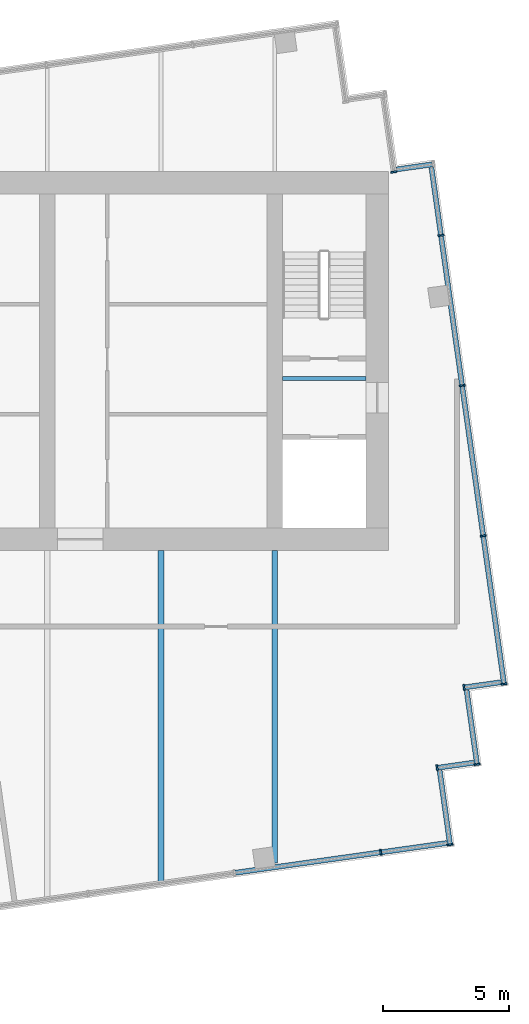
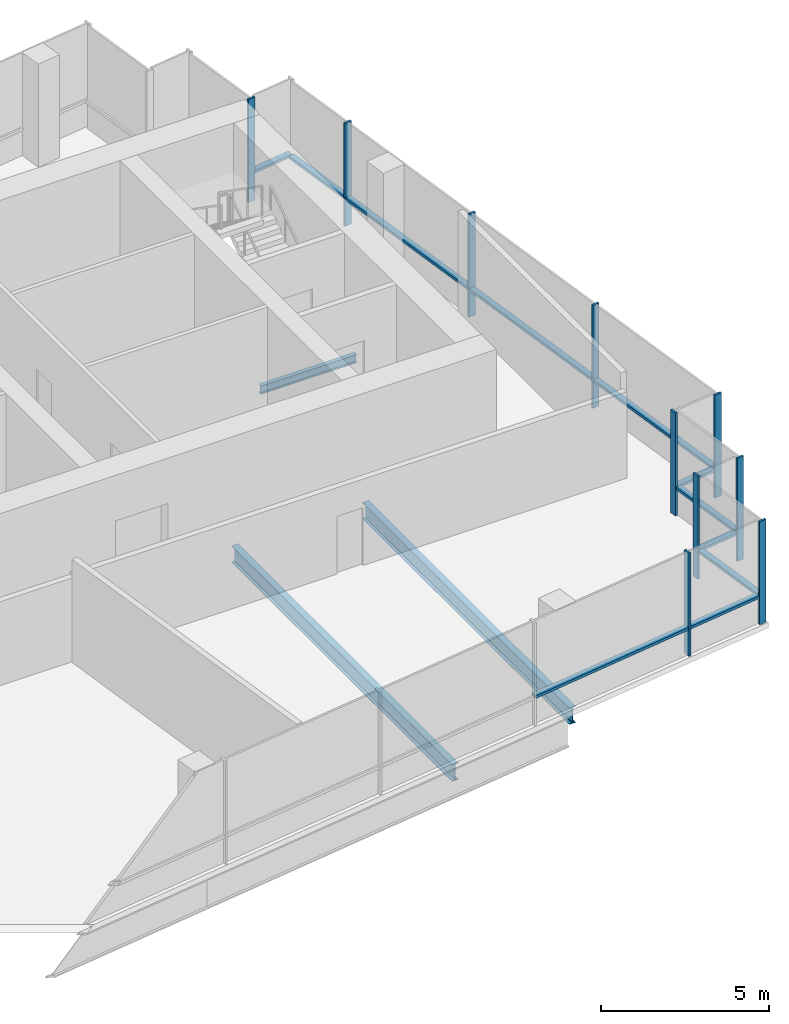
# One storey, part 4 of 9: 21 members, 3 beams, 8 elements without a shape of their own.
"""IFC4 building model written with IfcOpenShell, lengths in metres."""

import ifcopenshell
import ifcopenshell.guid

model = None  # the IFC model being written
_history = None  # IfcOwnerHistory: only IFC2X3 demands one
_inside = {}  # id of a spatial element -> (the spatial element, [elements in it])
_under = {}  # id of a project, library or spatial element -> (it, [spatial elements below it])
_declared = {}  # id of a project -> (the project, [libraries it declares])
_typed = {}  # id of a type object -> (the type object, [elements of that type])
_made_of = {}  # id of a material, layer set ... -> (it, [elements and type objects made of it])


def new_model(schema):
    """Start an empty IFC model of exactly this schema.

    Asked for "IFC4X3", IfcOpenShell would pick the latest addendum, in which some entities
    have other attributes; the version numbers below select the first issue.
    IFC2X3 requires an IfcOwnerHistory on every rooted entity: one is made here for all.
    """
    global model, _history
    if schema == "IFC4X3":
        model = ifcopenshell.file(schema_version=(4, 3, 0, 0))
    else:
        model = ifcopenshell.file(schema=schema)
    _inside.clear()
    _under.clear()
    _declared.clear()
    _typed.clear()
    _made_of.clear()
    _history = None
    if model.schema == "IFC2X3":
        org = make("IfcOrganization", Name="unknown")
        user = make(
            "IfcPersonAndOrganization",
            ThePerson=make("IfcPerson", FamilyName="unknown"),
            TheOrganization=org,
        )
        app = make(
            "IfcApplication",
            ApplicationDeveloper=org,
            Version="unknown",
            ApplicationFullName="unknown",
            ApplicationIdentifier="unknown",
        )
        _history = make(
            "IfcOwnerHistory",
            OwningUser=user,
            OwningApplication=app,
            ChangeAction="ADDED",
            CreationDate=0,
        )
    return model


def make(cls, **values):
    """One entity of the class cls with the attributes given. An attribute that is None is left unset."""
    return model.create_entity(
        cls, **{name: value for name, value in values.items() if value is not None}
    )


def rooted(cls, **values):
    """An entity with a GlobalId (a new one), such as an element, a storey or a relation."""
    return make(cls, GlobalId=ifcopenshell.guid.new(), OwnerHistory=_history, **values)


def si_unit(unit_type, name, prefix=None):
    """IfcSIUnit, for example si_unit("LENGTHUNIT", "METRE", prefix="MILLI")."""
    return make("IfcSIUnit", UnitType=unit_type, Prefix=prefix, Name=name)


def assignment(units):
    """IfcUnitAssignment: the units of a project."""
    return None if units is None else make("IfcUnitAssignment", Units=units)


def point(xyz):
    """IfcCartesianPoint."""
    return None if xyz is None else make("IfcCartesianPoint", Coordinates=xyz)


def direction(xyz):
    """IfcDirection."""
    return None if xyz is None else make("IfcDirection", DirectionRatios=xyz)


def frame(location, z_axis=None, x_axis=None):
    """IfcAxis2Placement3D, a coordinate frame: its origin and axes. An axis left out is left unset."""
    return make(
        "IfcAxis2Placement3D",
        Location=point(location),
        Axis=direction(z_axis),
        RefDirection=direction(x_axis),
    )


def frame_2d(location, x_axis=None):
    """IfcAxis2Placement2D, a coordinate frame in the plane: its origin and x axis."""
    return make(
        "IfcAxis2Placement2D", Location=point(location), RefDirection=direction(x_axis)
    )


def origin():
    """The frame at (0, 0, 0) with its axes left unset."""
    return frame((0.0, 0.0, 0.0))


def origin_2d():
    """The frame at (0, 0) in the plane with its x axis left unset."""
    return frame_2d((0.0, 0.0))


def place(relative_to, where):
    """IfcLocalPlacement: puts the frame where relative to a parent placement (None: the world)."""
    return make(
        "IfcLocalPlacement", PlacementRelTo=relative_to, RelativePlacement=where
    )


def context(
    kind, dimensions, precision=None, world=None, true_north=None, identifier=None
):
    """IfcGeometricRepresentationContext, for example the 3D "Model" context."""
    return make(
        "IfcGeometricRepresentationContext",
        ContextIdentifier=identifier,
        ContextType=kind,
        CoordinateSpaceDimension=dimensions,
        Precision=precision,
        WorldCoordinateSystem=world,
        TrueNorth=true_north,
    )


def subcontext(parent, identifier, kind, view, scale=None):
    """IfcGeometricRepresentationSubContext, for example "Body" below "Model"."""
    return make(
        "IfcGeometricRepresentationSubContext",
        ContextIdentifier=identifier,
        ContextType=kind,
        ParentContext=parent,
        TargetScale=scale,
        TargetView=view,
    )


def project(units=None, contexts=None):
    """IfcProject with its units and contexts."""
    return rooted(
        "IfcProject",
        Name="project",
        RepresentationContexts=contexts,
        UnitsInContext=assignment(units),
    )


def spatial(cls, under=None, at=None, **own):
    """A site, building, storey or space (cls), placed at a placement, below another one or the project."""
    s = rooted(cls, ObjectPlacement=at, **own)
    if under is not None:
        _under.setdefault(under.id(), (under, []))[1].append(s)
    return s


def profile(cls, at=None, kind="AREA", **sizes):
    """A parametric profile (cls). Its sizes go by their IFC names, for example OverallWidth=200.0."""
    return make(cls, ProfileType=kind, Position=at, **sizes)


def rectangle(**sizes):
    """IfcRectangleProfileDef."""
    return profile("IfcRectangleProfileDef", **sizes)


def i_section(**sizes):
    """IfcIShapeProfileDef."""
    return profile("IfcIShapeProfileDef", **sizes)


def extrude(swept, where, along, depth):
    """IfcExtrudedAreaSolid: the profile swept, set in the frame where, extruded along a direction by depth."""
    return make(
        "IfcExtrudedAreaSolid",
        SweptArea=swept,
        Position=where,
        ExtrudedDirection=direction(along),
        Depth=depth,
    )


def shape(context_of_items, identifier, shape_type, items):
    """IfcShapeRepresentation: the items that make up one representation, for example the "Body"."""
    return make(
        "IfcShapeRepresentation",
        ContextOfItems=context_of_items,
        RepresentationIdentifier=identifier,
        RepresentationType=shape_type,
        Items=items,
    )


def material(Name=None, Category=None):
    """IfcMaterial."""
    return make("IfcMaterial", Name=Name, Category=Category)


def layer(
    of_material, thickness, ventilated=None, Name=None, Category=None, Priority=None
):
    """IfcMaterialLayer: one layer of a wall or slab, of a material (None: an air gap)."""
    return make(
        "IfcMaterialLayer",
        Material=of_material,
        LayerThickness=thickness,
        IsVentilated=ventilated,
        Name=Name,
        Category=Category,
        Priority=Priority,
    )


def layer_set(layers, Name=None):
    """IfcMaterialLayerSet."""
    return make("IfcMaterialLayerSet", MaterialLayers=layers, LayerSetName=Name)


def material_profile(
    of_material, cross_section, Name=None, Category=None, Priority=None
):
    """IfcMaterialProfile: a cross section and its material."""
    return make(
        "IfcMaterialProfile",
        Name=Name,
        Material=of_material,
        Profile=cross_section,
        Priority=Priority,
        Category=Category,
    )


def profile_set(profiles, Name=None, composite=None):
    """IfcMaterialProfileSet."""
    return make(
        "IfcMaterialProfileSet",
        Name=Name,
        MaterialProfiles=profiles,
        CompositeProfile=composite,
    )


def made_of(thing, what):
    """Note that an element or type object is made of a material, layer set ...; save() writes the relation."""
    if what is not None:
        _made_of.setdefault(what.id(), (what, []))[1].append(thing)
    return thing


def type_object(cls, material=None, **own):
    """A type object (cls), such as IfcWallType, which elements share."""
    return made_of(rooted(cls, **own), material)


def element(
    cls,
    number,
    at=None,
    inside=None,
    cuts=None,
    type_object=None,
    material=None,
    context=None,
    identifier="Body",
    shape_type=None,
    held_by="IfcProductDefinitionShape",
    body=None,
    shapes=None,
    **own,
):
    """One element of the class cls, such as IfcWall. Its Tag is "e" and its number.

    at: its placement. inside: the storey or other place that contains it. cuts: it is an
    opening in that element (IfcRelVoidsElement). A single representation is given by context,
    identifier, shape_type and body (its items); several are given by shapes. held_by: the class
    of the entity that holds the representations. save() writes the other relations.
    """
    e = rooted(cls, Tag="e%d" % number, ObjectPlacement=at, **own)
    if body is not None:
        shapes = [shape(context, identifier, shape_type, body)]
    if shapes is not None:
        e.Representation = make(held_by, Representations=shapes)
    if inside is not None:
        _inside.setdefault(inside.id(), (inside, []))[1].append(e)
    if cuts is not None:
        rooted(
            "IfcRelVoidsElement", RelatingBuildingElement=cuts, RelatedOpeningElement=e
        )
    if type_object is not None:
        _typed.setdefault(type_object.id(), (type_object, []))[1].append(e)
    return made_of(e, material)


def aggregate(whole, parts):
    """IfcRelAggregates: a whole, such as a stair, and the parts it consists of."""
    return rooted("IfcRelAggregates", RelatingObject=whole, RelatedObjects=parts)


def save(model, path):
    """Write the relations noted so far, then the file.

    IfcRelAggregates (storeys below a building ...), IfcRelContainedInSpatialStructure (elements
    in a storey), IfcRelDefinesByType, IfcRelAssociatesMaterial and IfcRelDeclares: one each for
    every whole, place, type object, material and project.
    """
    for whole, parts in _under.values():
        aggregate(whole, parts)
    for where, things in _inside.values():
        rooted(
            "IfcRelContainedInSpatialStructure",
            RelatedElements=things,
            RelatingStructure=where,
        )
    for kind, things in _typed.values():
        rooted("IfcRelDefinesByType", RelatedObjects=things, RelatingType=kind)
    for what, things in _made_of.values():
        rooted("IfcRelAssociatesMaterial", RelatedObjects=things, RelatingMaterial=what)
    for by, libraries in _declared.values():
        rooted("IfcRelDeclares", RelatingContext=by, RelatedDefinitions=libraries)
    model.write(path)


model = new_model("IFC4")

# Units and contexts
model_context = context("Model", 3, precision=1e-05, world=origin(), true_north=direction((0.0, 1.0)))
body_context = subcontext(model_context, "Body", "Model", "MODEL_VIEW")
ifc_project = project(units=[si_unit("LENGTHUNIT", "METRE"), si_unit("AREAUNIT", "SQUARE_METRE"), si_unit("VOLUMEUNIT", "CUBIC_METRE"), si_unit("PLANEANGLEUNIT", "RADIAN"), si_unit("MASSUNIT", "GRAM", prefix="KILO")], contexts=[model_context])

# Site, building, storey
site_placement = place(None, origin())
site = spatial("IfcSite", under=ifc_project, at=site_placement, CompositionType="ELEMENT")
building_placement = place(site_placement, origin())
building = spatial("IfcBuilding", under=site, at=building_placement, Name="Rattan Terrace Tower", CompositionType="ELEMENT")
storey_placement = place(building_placement, frame((0.0, 0.0, 312.300048828125)))
storey = spatial("IfcBuildingStorey", under=building, at=storey_placement, Name="C06", CompositionType="ELEMENT", Elevation=312.300048828125)

# Beams
ifc_material_1 = material(Name="Steel S355", Category="steel")
ifc_material_profile_1 = material_profile(ifc_material_1, i_section(OverallWidth=0.14990234375, OverallDepth=0.300048828125, WebThickness=0.007080078125, FlangeThickness=0.0107421875, FilletRadius=0.014892578125, at=origin_2d()), Name="IPE 300")
ifc_profile_set_1 = profile_set([ifc_material_profile_1], Name="Steel S355")
beam_type_1 = type_object("IfcBeamType", Name="Frame floor beam IPE 300", PredefinedType="JOIST", material=ifc_profile_set_1)
beam_1_placement = place(storey_placement, frame((13.800048828125, -0.695068359375, -0.35009765625), z_axis=(1.0, 0.0, 0.0), x_axis=(0.0, 1.0, 0.0)))
element("IfcBeam", 1, at=beam_1_placement, inside=storey, type_object=beam_type_1, Name="bm-C06-002", PredefinedType="JOIST", context=body_context, shape_type="SweptSolid", body=[
    extrude(i_section(OverallWidth=0.14990234375, OverallDepth=0.300048828125, WebThickness=0.007080078125, FlangeThickness=0.0107421875, FilletRadius=0.014892578125, at=origin_2d()), origin(), (0.0, 0.0, 1.0), 3.300048828125),
])
ifc_material_2 = material(Name="Steel S355", Category="steel")
ifc_material_profile_2 = material_profile(ifc_material_2, i_section(OverallWidth=0.219970703125, OverallDepth=0.60009765625, WebThickness=0.011962890625, FlangeThickness=0.01904296875, FilletRadius=0.02392578125, at=origin_2d()), Name="IPE 600")
ifc_profile_set_2 = profile_set([ifc_material_profile_2], Name="Steel S355")
beam_type_2 = type_object("IfcBeamType", Name="Frame floor beam IPE 600", PredefinedType="JOIST", material=ifc_profile_set_2)
beam_2_placement = place(storey_placement, frame((13.5, -19.846923828125, -0.5), z_axis=(0.0, 1.0, 0.0), x_axis=(-1.0, 0.0, 0.0)))
element("IfcBeam", 2, at=beam_2_placement, inside=storey, type_object=beam_type_2, Name="bm-C06-008", PredefinedType="JOIST", context=body_context, shape_type="SweptSolid", body=[
    extrude(i_section(OverallWidth=0.219970703125, OverallDepth=0.60009765625, WebThickness=0.011962890625, FlangeThickness=0.01904296875, FilletRadius=0.02392578125, at=origin_2d()), origin(), (0.0, 0.0, 1.0), 12.346923828125),
])
ifc_material_3 = material(Name="Steel S355", Category="steel")
ifc_material_profile_3 = material_profile(ifc_material_3, i_section(OverallWidth=0.22412109375, OverallDepth=0.610107421875, WebThickness=0.014892578125, FlangeThickness=0.02392578125, FilletRadius=0.02392578125, at=origin_2d()), Name="IPE O 600")
ifc_profile_set_3 = profile_set([ifc_material_profile_3], Name="Steel S355")
beam_type_3 = type_object("IfcBeamType", Name="Frame floor beam IPE O 600", PredefinedType="JOIST", material=ifc_profile_set_3)
beam_3_placement = place(storey_placement, frame((9.0, -20.64501953125, -0.505126953125), z_axis=(0.0, 1.0, 0.0), x_axis=(-1.0, 0.0, 0.0)))
element("IfcBeam", 3, at=beam_3_placement, inside=storey, type_object=beam_type_3, Name="bm-C06-007", PredefinedType="JOIST", context=body_context, shape_type="SweptSolid", body=[
    extrude(i_section(OverallWidth=0.22412109375, OverallDepth=0.610107421875, WebThickness=0.014892578125, FlangeThickness=0.02392578125, FilletRadius=0.02392578125, at=origin_2d()), origin(), (0.0, 0.0, 1.0), 13.14501953125),
])

# Curtain wall, member
ifc_material_4 = material(Name="Aluminium and laminated glass", Category="aluminium")
ifc_layer = layer(ifc_material_4, 0.239990234375)
ifc_layer_set = layer_set([ifc_layer], Name="Lantern Stick Curtain Wall")
curtain_wall_type = type_object("IfcCurtainWallType", Name="Lantern Stick Curtain Wall", PredefinedType="NOTDEFINED", material=ifc_layer_set)
curtain_wall_1_placement = place(storey_placement, origin())
curtain_wall_1 = element("IfcCurtainWall", 4, at=curtain_wall_1_placement, inside=storey, type_object=curtain_wall_type, Name="Lantern curtain wall C06-6", PredefinedType="NOTDEFINED")
ifc_material_5 = material(Name="Aluminium", Category="aluminium")
ifc_material_profile_4 = material_profile(ifc_material_5, rectangle(XDim=0.070068359375, YDim=0.239990234375, at=origin_2d()), Name="Aluminium 70x240")
ifc_profile_set_4 = profile_set([ifc_material_profile_4], Name="Aluminium")
member_type_1 = type_object("IfcMemberType", Name="Lantern CW Mullion 70x240", PredefinedType="MULLION", material=ifc_profile_set_4)
member_1_placement = place(storey_placement, frame((17.69189453125, -19.433837890625, 0.0), z_axis=(0.0, 0.0, 1.0), x_axis=(0.990266952226, 0.13918104515, 0.0)))
member_1 = element("IfcMember", 5, at=member_1_placement, type_object=member_type_1, Name="Mullion cwl-C06-006.7", PredefinedType="MULLION", context=body_context, shape_type="SweptSolid", body=[
    extrude(rectangle(XDim=0.070068359375, YDim=0.239990234375, at=origin_2d()), origin(), (0.0, 0.0, 1.0), 3.75),
])

curtain_wall_2_placement = place(storey_placement, origin())
curtain_wall_2 = element("IfcCurtainWall", 6, at=curtain_wall_2_placement, inside=storey, type_object=curtain_wall_type, Name="Lantern curtain wall C06-7", PredefinedType="NOTDEFINED")
member_2_placement = place(storey_placement, frame((20.431884765625, -19.134521484375, 0.0), z_axis=(0.0, 0.0, 1.0), x_axis=(-0.139040257974, 0.990286729519, 0.0)))
member_2 = element("IfcMember", 7, at=member_2_placement, type_object=member_type_1, Name="Mullion cwl-C06-007.1", PredefinedType="MULLION", context=body_context, shape_type="SweptSolid", body=[
    extrude(rectangle(XDim=0.070068359375, YDim=0.239990234375, at=origin_2d()), origin(), (0.0, 0.0, 1.0), 3.75),
])

curtain_wall_3_placement = place(storey_placement, origin())
curtain_wall_3 = element("IfcCurtainWall", 8, at=curtain_wall_3_placement, inside=storey, type_object=curtain_wall_type, Name="Lantern curtain wall C06-8", PredefinedType="NOTDEFINED")
member_3_placement = place(storey_placement, frame((19.9189453125, -16.09228515625, 0.0), z_axis=(0.0, 0.0, 1.0), x_axis=(0.990227803001, 0.139459306479, 0.0)))
member_3 = element("IfcMember", 9, at=member_3_placement, type_object=member_type_1, Name="Mullion cwl-C06-008.1", PredefinedType="MULLION", context=body_context, shape_type="SweptSolid", body=[
    extrude(rectangle(XDim=0.070068359375, YDim=0.239990234375, at=origin_2d()), origin(), (0.0, 0.0, 1.0), 3.75),
])

curtain_wall_4_placement = place(storey_placement, origin())
curtain_wall_4 = element("IfcCurtainWall", 10, at=curtain_wall_4_placement, inside=storey, type_object=curtain_wall_type, Name="Lantern curtain wall C06-9", PredefinedType="NOTDEFINED")
member_4_placement = place(storey_placement, frame((21.498779296875, -15.95556640625, 0.0), z_axis=(0.0, 0.0, 1.0), x_axis=(-0.139367219175, 0.990240767803, 0.0)))
member_4 = element("IfcMember", 11, at=member_4_placement, type_object=member_type_1, Name="Mullion cwl-C06-009.1", PredefinedType="MULLION", context=body_context, shape_type="SweptSolid", body=[
    extrude(rectangle(XDim=0.070068359375, YDim=0.239990234375, at=origin_2d()), origin(), (0.0, 0.0, 1.0), 3.75),
])

curtain_wall_5_placement = place(storey_placement, origin())
curtain_wall_5 = element("IfcCurtainWall", 12, at=curtain_wall_5_placement, inside=storey, type_object=curtain_wall_type, Name="Lantern curtain wall C06-10", PredefinedType="NOTDEFINED")
member_5_placement = place(storey_placement, frame((20.98486328125, -12.9130859375, 0.0), z_axis=(0.0, 0.0, 1.0), x_axis=(0.99025370695, 0.139275252184, 0.0)))
member_5 = element("IfcMember", 13, at=member_5_placement, type_object=member_type_1, Name="Mullion cwl-C06-010.1", PredefinedType="MULLION", context=body_context, shape_type="SweptSolid", body=[
    extrude(rectangle(XDim=0.070068359375, YDim=0.239990234375, at=origin_2d()), origin(), (0.0, 0.0, 1.0), 3.75),
])

# Curtain wall, members
curtain_wall_6_placement = place(storey_placement, origin())
curtain_wall_6 = element("IfcCurtainWall", 14, at=curtain_wall_6_placement, inside=storey, type_object=curtain_wall_type, Name="Lantern curtain wall C06-11", PredefinedType="NOTDEFINED")
member_6_placement = place(storey_placement, frame((22.56689453125, -12.776611328125, 0.0), z_axis=(0.0, 0.0, 1.0), x_axis=(-0.139187707455, 0.990266015823, 0.0)))
member_6 = element("IfcMember", 15, at=member_6_placement, type_object=member_type_1, Name="Mullion cwl-C06-011.1", PredefinedType="MULLION", context=body_context, shape_type="SweptSolid", body=[
    extrude(rectangle(XDim=0.070068359375, YDim=0.239990234375, at=origin_2d()), origin(), (0.0, 0.0, 1.0), 3.75),
])
member_7_placement = place(storey_placement, frame((21.74365234375, -6.919189453125, 0.0), z_axis=(0.0, 0.0, 1.0), x_axis=(-0.139187707455, 0.990266015823, 0.0)))
member_7 = element("IfcMember", 16, at=member_7_placement, type_object=member_type_1, Name="Mullion cwl-C06-011.2", PredefinedType="MULLION", context=body_context, shape_type="SweptSolid", body=[
    extrude(rectangle(XDim=0.070068359375, YDim=0.239990234375, at=origin_2d()), origin(), (0.0, 0.0, 1.0), 3.75),
])
member_8_placement = place(storey_placement, frame((20.908447265625, -0.9775390625, 0.0), z_axis=(0.0, 0.0, 1.0), x_axis=(-0.139187707455, 0.990266015823, 0.0)))
member_8 = element("IfcMember", 17, at=member_8_placement, type_object=member_type_1, Name="Mullion cwl-C06-011.3", PredefinedType="MULLION", context=body_context, shape_type="SweptSolid", body=[
    extrude(rectangle(XDim=0.070068359375, YDim=0.239990234375, at=origin_2d()), origin(), (0.0, 0.0, 1.0), 3.75),
])
member_9_placement = place(storey_placement, frame((20.0732421875, 4.964111328125, 0.0), z_axis=(0.0, 0.0, 1.0), x_axis=(-0.139187707455, 0.990266015823, 0.0)))
member_9 = element("IfcMember", 18, at=member_9_placement, type_object=member_type_1, Name="Mullion cwl-C06-011.4", PredefinedType="MULLION", context=body_context, shape_type="SweptSolid", body=[
    extrude(rectangle(XDim=0.070068359375, YDim=0.239990234375, at=origin_2d()), origin(), (0.0, 0.0, 1.0), 3.75),
])

# Curtain wall, member
curtain_wall_7_placement = place(storey_placement, origin())
curtain_wall_7 = element("IfcCurtainWall", 19, at=curtain_wall_7_placement, inside=storey, type_object=curtain_wall_type, Name="Lantern curtain wall C06-13", PredefinedType="NOTDEFINED")
member_10_placement = place(storey_placement, frame((18.207275390625, 7.473876953125, 0.0), z_axis=(0.0, 0.0, 1.0), x_axis=(-0.139555918709, 0.990214191755, 0.0)))
member_10 = element("IfcMember", 20, at=member_10_placement, type_object=member_type_1, Name="Mullion cwl-C06-013.1", PredefinedType="MULLION", context=body_context, shape_type="SweptSolid", body=[
    extrude(rectangle(XDim=0.070068359375, YDim=0.239990234375, at=origin_2d()), origin(), (0.0, 0.0, 1.0), 3.75),
])
aggregate(curtain_wall_7, [member_10])

# Member
ifc_material_6 = material(Name="Aluminium", Category="aluminium")
ifc_material_profile_5 = material_profile(ifc_material_6, rectangle(XDim=0.199951171875, YDim=0.10009765625, at=origin_2d()), Name="Aluminium 200x100")
ifc_profile_set_5 = profile_set([ifc_material_profile_5], Name="Aluminium")
member_type_2 = type_object("IfcMemberType", Name="Lantern CW Transom 200x100", PredefinedType="USERDEFINED", material=ifc_profile_set_5)
member_11_placement = place(storey_placement, frame((11.9375, -20.242431640625, 1.0), z_axis=(0.99027150937, 0.139148617417, 0.0), x_axis=(-0.139148617417, 0.99027150937, 0.0)))
member_11 = element("IfcMember", 21, at=member_11_placement, type_object=member_type_2, Name="Transom cwl-C06-006.6", ObjectType="TRANSOM", PredefinedType="USERDEFINED", context=body_context, shape_type="SweptSolid", body=[
    extrude(rectangle(XDim=0.199951171875, YDim=0.10009765625, at=origin_2d()), origin(), (0.0, 0.0, 1.0), 5.77587890625),
])

member_12_placement = place(storey_placement, frame((17.7265625, -19.428955078125, 1.0), z_axis=(0.990256983473, 0.139251953963, 0.0), x_axis=(-0.139251953963, 0.990256983473, 0.0)))
member_12 = element("IfcMember", 22, at=member_12_placement, type_object=member_type_2, Name="Transom cwl-C06-006.7", ObjectType="TRANSOM", PredefinedType="USERDEFINED", context=body_context, shape_type="SweptSolid", body=[
    extrude(rectangle(XDim=0.199951171875, YDim=0.10009765625, at=origin_2d()), origin(), (0.0, 0.0, 1.0), 2.60009765625),
])

aggregate(curtain_wall_1, [member_1, member_11, member_12])

member_13_placement = place(storey_placement, frame((20.427001953125, -19.099853515625, 1.0), z_axis=(-0.139028781454, 0.990288340801, 0.0), x_axis=(-0.990288340801, -0.139028781454, 0.0)))
member_13 = element("IfcMember", 23, at=member_13_placement, type_object=member_type_2, Name="Transom cwl-C06-007.1", ObjectType="TRANSOM", PredefinedType="USERDEFINED", context=body_context, shape_type="SweptSolid", body=[
    extrude(rectangle(XDim=0.199951171875, YDim=0.10009765625, at=origin_2d()), origin(), (0.0, 0.0, 1.0), 2.92919921875),
])

aggregate(curtain_wall_2, [member_2, member_13])

member_14_placement = place(storey_placement, frame((19.95361328125, -16.08740234375, 1.0), z_axis=(0.990227834808, 0.139459080636, 0.0), x_axis=(-0.139459080636, 0.990227834808, 0.0)))
member_14 = element("IfcMember", 24, at=member_14_placement, type_object=member_type_2, Name="Transom cwl-C06-008.1", ObjectType="TRANSOM", PredefinedType="USERDEFINED", context=body_context, shape_type="SweptSolid", body=[
    extrude(rectangle(XDim=0.199951171875, YDim=0.10009765625, at=origin_2d()), origin(), (0.0, 0.0, 1.0), 1.428466796875),
])

aggregate(curtain_wall_3, [member_3, member_14])

member_15_placement = place(storey_placement, frame((21.493896484375, -15.9208984375, 1.0), z_axis=(-0.139355716724, 0.990242386599, 0.0), x_axis=(-0.990242386599, -0.139355716724, 0.0)))
member_15 = element("IfcMember", 25, at=member_15_placement, type_object=member_type_2, Name="Transom cwl-C06-009.1", ObjectType="TRANSOM", PredefinedType="USERDEFINED", context=body_context, shape_type="SweptSolid", body=[
    extrude(rectangle(XDim=0.199951171875, YDim=0.10009765625, at=origin_2d()), origin(), (0.0, 0.0, 1.0), 2.92919921875),
])

aggregate(curtain_wall_4, [member_4, member_15])

member_16_placement = place(storey_placement, frame((21.01953125, -12.908203125, 1.0), z_axis=(0.990257681856, 0.139246987488, 0.0), x_axis=(-0.139246987488, 0.990257681856, 0.0)))
member_16 = element("IfcMember", 26, at=member_16_placement, type_object=member_type_2, Name="Transom cwl-C06-010.1", ObjectType="TRANSOM", PredefinedType="USERDEFINED", context=body_context, shape_type="SweptSolid", body=[
    extrude(rectangle(XDim=0.199951171875, YDim=0.10009765625, at=origin_2d()), origin(), (0.0, 0.0, 1.0), 1.4306640625),
])

aggregate(curtain_wall_5, [member_5, member_16])

member_17_placement = place(storey_placement, frame((22.56201171875, -12.741943359375, 1.0), z_axis=(-0.139216432116, 0.990261977978, 0.0), x_axis=(-0.990261977978, -0.139216432116, 0.0)))
member_17 = element("IfcMember", 27, at=member_17_placement, type_object=member_type_2, Name="Transom cwl-C06-011.1", ObjectType="TRANSOM", PredefinedType="USERDEFINED", context=body_context, shape_type="SweptSolid", body=[
    extrude(rectangle(XDim=0.199951171875, YDim=0.10009765625, at=origin_2d()), origin(), (0.0, 0.0, 1.0), 5.844970703125),
])

member_18_placement = place(storey_placement, frame((21.73876953125, -6.884521484375, 1.0), z_axis=(-0.139196165956, 0.990264826894, 0.0), x_axis=(-0.990264826894, -0.139196165956, 0.0)))
member_18 = element("IfcMember", 28, at=member_18_placement, type_object=member_type_2, Name="Transom cwl-C06-011.2", ObjectType="TRANSOM", PredefinedType="USERDEFINED", context=body_context, shape_type="SweptSolid", body=[
    extrude(rectangle(XDim=0.199951171875, YDim=0.10009765625, at=origin_2d()), origin(), (0.0, 0.0, 1.0), 5.929931640625),
])

member_19_placement = place(storey_placement, frame((20.903564453125, -0.94287109375, 1.0), z_axis=(-0.139196165956, 0.990264826894, 0.0), x_axis=(-0.990264826894, -0.139196165956, 0.0)))
member_19 = element("IfcMember", 29, at=member_19_placement, type_object=member_type_2, Name="Transom cwl-C06-011.3", ObjectType="TRANSOM", PredefinedType="USERDEFINED", context=body_context, shape_type="SweptSolid", body=[
    extrude(rectangle(XDim=0.199951171875, YDim=0.10009765625, at=origin_2d()), origin(), (0.0, 0.0, 1.0), 5.929931640625),
])

member_20_placement = place(storey_placement, frame((20.068359375, 4.998779296875, 1.0), z_axis=(-0.139159755343, 0.990269944254, 0.0), x_axis=(-0.990269944254, -0.139159755343, 0.0)))
member_20 = element("IfcMember", 30, at=member_20_placement, type_object=member_type_2, Name="Transom cwl-C06-011.4", ObjectType="TRANSOM", PredefinedType="USERDEFINED", context=body_context, shape_type="SweptSolid", body=[
    extrude(rectangle(XDim=0.199951171875, YDim=0.10009765625, at=origin_2d()), origin(), (0.0, 0.0, 1.0), 2.675537109375),
])

aggregate(curtain_wall_6, [member_6, member_7, member_8, member_9, member_17, member_18, member_19, member_20])

# Curtain wall, member
curtain_wall_8_placement = place(storey_placement, origin())
curtain_wall_8 = element("IfcCurtainWall", 31, at=curtain_wall_8_placement, inside=storey, type_object=curtain_wall_type, Name="Lantern curtain wall C06-12", PredefinedType="NOTDEFINED")
member_21_placement = place(storey_placement, frame((19.728759765625, 7.77392578125, 1.0), z_axis=(-0.990227834808, -0.139459080636, 0.0), x_axis=(0.139459080636, -0.990227834808, 0.0)))
member_21 = element("IfcMember", 32, at=member_21_placement, type_object=member_type_2, Name="Transom cwl-C06-012.1", ObjectType="TRANSOM", PredefinedType="USERDEFINED", context=body_context, shape_type="SweptSolid", body=[
    extrude(rectangle(XDim=0.199951171875, YDim=0.10009765625, at=origin_2d()), origin(), (0.0, 0.0, 1.0), 1.428466796875),
])
aggregate(curtain_wall_8, [member_21])

save(model, "model.ifc")
